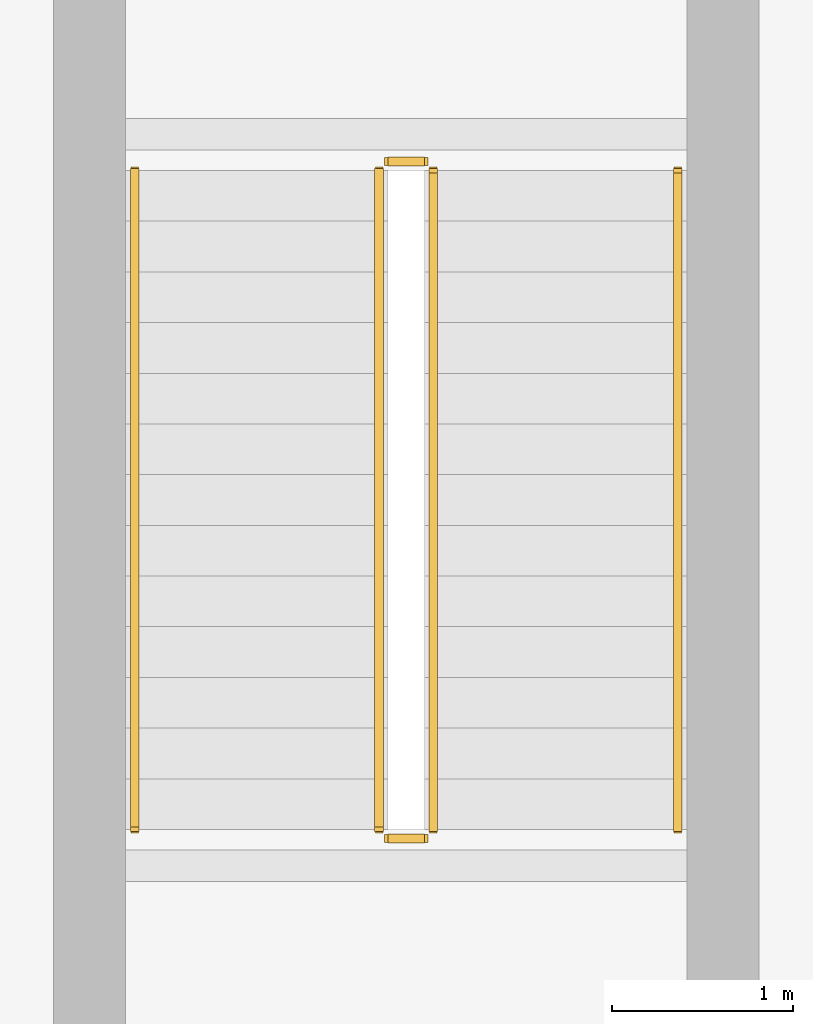
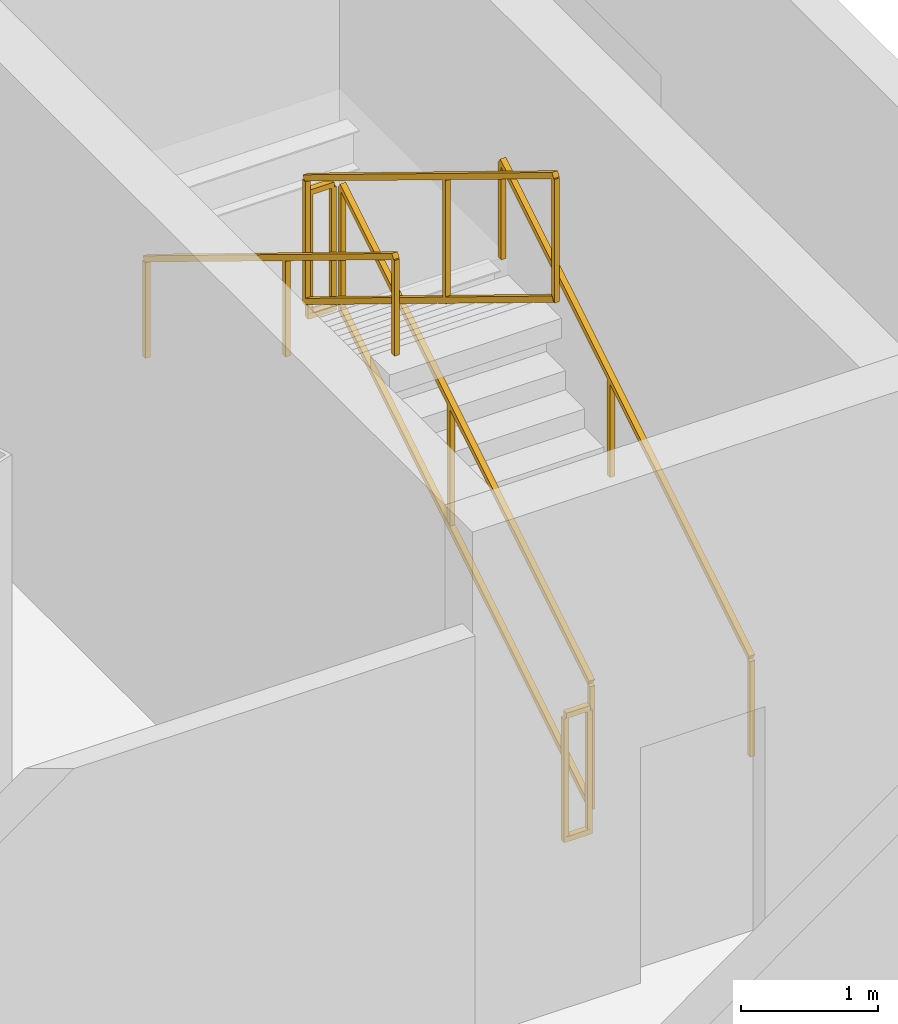
# One storey, part 26 of 27: 6 railings.
"""IFC4 building model written with IfcOpenShell, lengths in metres."""

from ifc_helpers import new_model, si_unit, direction, frame, origin, origin_2d, place, context, subcontext, project, spatial, rectangle, extrude, material, type_object, element, save


model = new_model("IFC4")

# Units and contexts
model_context = context("Model", 3, precision=1e-05, world=origin(), true_north=direction((0.0, 1.0)))
body_context = subcontext(model_context, "Body", "Model", "MODEL_VIEW")
ifc_project = project(units=[si_unit("LENGTHUNIT", "METRE"), si_unit("AREAUNIT", "SQUARE_METRE"), si_unit("VOLUMEUNIT", "CUBIC_METRE"), si_unit("PLANEANGLEUNIT", "RADIAN"), si_unit("MASSUNIT", "GRAM", prefix="KILO"), si_unit("THERMODYNAMICTEMPERATUREUNIT", "KELVIN"), si_unit("POWERUNIT", "WATT")], contexts=[model_context])

# Site, building, storey
site_placement = place(None, origin())
site = spatial("IfcSite", under=ifc_project, at=site_placement, CompositionType="ELEMENT")
building_placement = place(site_placement, origin())
building = spatial("IfcBuilding", under=site, at=building_placement, Name="Yunzhuo Pagoda Commons", CompositionType="ELEMENT")
storey_placement = place(building_placement, frame((0.0, 0.0, 9.60009765625)))
storey = spatial("IfcBuildingStorey", under=building, at=storey_placement, Name="L03", CompositionType="ELEMENT", Elevation=9.60009765625)

# Railings
ifc_material = material(Name="Anodized aluminium 6063-T6", Category="aluminium")
railing_type_1 = type_object("IfcRailingType", Name="GR-PS4 Podium Well Guardrail 1165", PredefinedType="GUARDRAIL", material=ifc_material)
railing_1_placement = place(storey_placement, frame((88.39990234375, 44.300048828125, 0.17138671875)))
element("IfcRailing", 1, at=railing_1_placement, inside=storey, type_object=railing_type_1, Name="L03 PS4 stair guard 1", PredefinedType="GUARDRAIL", context=body_context, shape_type="SweptSolid", body=[
    extrude(rectangle(XDim=0.048095703125, YDim=0.048095703125, at=origin_2d()), frame((0.0, 0.0, 1.1259765625), z_axis=(0.0, 0.852850264322, 0.5221555579), x_axis=(-1.0, 0.0, 0.0)), (0.0, 0.0, 1.0), 4.267822265625),
    extrude(rectangle(XDim=0.048095703125, YDim=0.048095703125, at=origin_2d()), frame((0.0, 0.0, 0.02392578125), z_axis=(0.0, 0.852850264322, 0.5221555579), x_axis=(-1.0, 0.0, 0.0)), (0.0, 0.0, 1.0), 4.267822265625),
    extrude(rectangle(XDim=0.0419921875, YDim=0.0419921875, at=origin_2d()), origin(), (0.0, 0.0, 1.0), 1.101806640625),
    extrude(rectangle(XDim=0.0419921875, YDim=0.0419921875, at=origin_2d()), frame((0.0, 2.046875, 1.253173828125)), (0.0, 0.0, 1.0), 1.101806640625),
    extrude(rectangle(XDim=0.0419921875, YDim=0.0419921875, at=origin_2d()), frame((0.0, 3.639892578125, 2.228515625)), (0.0, 0.0, 1.0), 1.101806640625),
])
railing_2_placement = place(storey_placement, frame((88.35009765625, 47.989990234375, 2.39990234375)))
element("IfcRailing", 2, at=railing_2_placement, inside=storey, type_object=railing_type_1, Name="L03 PS4 stair guard 2", PredefinedType="GUARDRAIL", context=body_context, shape_type="SweptSolid", body=[
    extrude(rectangle(XDim=0.048095703125, YDim=0.048095703125, at=origin_2d()), frame((0.0, 0.0, 1.1259765625), z_axis=(-1.0, 0.0, 0.0), x_axis=(0.0, -1.0, 0.0)), (0.0, 0.0, 1.0), 0.2001953125),
    extrude(rectangle(XDim=0.048095703125, YDim=0.048095703125, at=origin_2d()), frame((0.0, 0.0, 0.02392578125), z_axis=(-1.0, 0.0, 0.0), x_axis=(0.0, -1.0, 0.0)), (0.0, 0.0, 1.0), 0.2001953125),
    extrude(rectangle(XDim=0.0419921875, YDim=0.0419921875, at=origin_2d()), origin(), (0.0, 0.0, 1.0), 1.101806640625),
    extrude(rectangle(XDim=0.0419921875, YDim=0.0419921875, at=origin_2d()), frame((-0.2001953125, 0.0, 0.0)), (0.0, 0.0, 1.0), 1.101806640625),
])
railing_3_placement = place(storey_placement, frame((88.10009765625, 47.93994140625, 2.5712890625)))
element("IfcRailing", 3, at=railing_3_placement, inside=storey, type_object=railing_type_1, Name="L03 PS4 stair guard 3", PredefinedType="GUARDRAIL", context=body_context, shape_type="SweptSolid", body=[
    extrude(rectangle(XDim=0.048095703125, YDim=0.048095703125, at=origin_2d()), frame((0.0, 0.0, 1.1259765625), z_axis=(0.0, -0.852850264322, 0.5221555579), x_axis=(1.0, 0.0, 0.0)), (0.0, 0.0, 1.0), 4.267822265625),
    extrude(rectangle(XDim=0.048095703125, YDim=0.048095703125, at=origin_2d()), frame((0.0, 0.0, 0.02392578125), z_axis=(0.0, -0.852850264322, 0.5221555579), x_axis=(1.0, 0.0, 0.0)), (0.0, 0.0, 1.0), 4.267822265625),
    extrude(rectangle(XDim=0.0419921875, YDim=0.0419921875, at=origin_2d()), origin(), (0.0, 0.0, 1.0), 1.101806640625),
    extrude(rectangle(XDim=0.0419921875, YDim=0.0419921875, at=origin_2d()), frame((0.0, -2.046875, 1.253173828125)), (0.0, 0.0, 1.0), 1.101806640625),
    extrude(rectangle(XDim=0.0419921875, YDim=0.0419921875, at=origin_2d()), frame((0.0, -3.639892578125, 2.228515625)), (0.0, 0.0, 1.0), 1.101806640625),
])
railing_4_placement = place(storey_placement, frame((88.35009765625, 44.25, 0.0)))
element("IfcRailing", 4, at=railing_4_placement, inside=storey, type_object=railing_type_1, Name="L03 PS4 stair guard 4", PredefinedType="GUARDRAIL", context=body_context, shape_type="SweptSolid", body=[
    extrude(rectangle(XDim=0.048095703125, YDim=0.048095703125, at=origin_2d()), frame((0.0, 0.0, 1.1259765625), z_axis=(-1.0, 0.0, 0.0), x_axis=(0.0, -1.0, 0.0)), (0.0, 0.0, 1.0), 0.2001953125),
    extrude(rectangle(XDim=0.048095703125, YDim=0.048095703125, at=origin_2d()), frame((0.0, 0.0, 0.02392578125), z_axis=(-1.0, 0.0, 0.0), x_axis=(0.0, -1.0, 0.0)), (0.0, 0.0, 1.0), 0.2001953125),
    extrude(rectangle(XDim=0.0419921875, YDim=0.0419921875, at=origin_2d()), origin(), (0.0, 0.0, 1.0), 1.101806640625),
    extrude(rectangle(XDim=0.0419921875, YDim=0.0419921875, at=origin_2d()), frame((-0.2001953125, 0.0, 0.0)), (0.0, 0.0, 1.0), 1.101806640625),
])
railing_type_2 = type_object("IfcRailingType", Name="HR-PS4 Podium Stair Handrail 900", PredefinedType="HANDRAIL", material=ifc_material)
railing_5_placement = place(storey_placement, frame((89.75, 44.300048828125, 0.17138671875)))
element("IfcRailing", 5, at=railing_5_placement, inside=storey, type_object=railing_type_2, Name="L03 PS4 stair handrail 1", PredefinedType="HANDRAIL", context=body_context, shape_type="SweptSolid", body=[
    extrude(rectangle(XDim=0.048095703125, YDim=0.048095703125, at=origin_2d()), frame((0.0, 0.0, 0.8759765625), z_axis=(0.0, 0.852850264322, 0.5221555579), x_axis=(-1.0, 0.0, 0.0)), (0.0, 0.0, 1.0), 4.267822265625),
    extrude(rectangle(XDim=0.0419921875, YDim=0.0419921875, at=origin_2d()), origin(), (0.0, 0.0, 1.0), 0.851806640625),
    extrude(rectangle(XDim=0.0419921875, YDim=0.0419921875, at=origin_2d()), frame((0.0, 2.046875, 1.253173828125)), (0.0, 0.0, 1.0), 0.851806640625),
    extrude(rectangle(XDim=0.0419921875, YDim=0.0419921875, at=origin_2d()), frame((0.0, 3.639892578125, 2.228515625)), (0.0, 0.0, 1.0), 0.851806640625),
])
railing_6_placement = place(storey_placement, frame((86.75, 47.93994140625, 2.5712890625)))
element("IfcRailing", 6, at=railing_6_placement, inside=storey, type_object=railing_type_2, Name="L03 PS4 stair handrail 2", PredefinedType="HANDRAIL", context=body_context, shape_type="SweptSolid", body=[
    extrude(rectangle(XDim=0.048095703125, YDim=0.048095703125, at=origin_2d()), frame((0.0, 0.0, 0.8759765625), z_axis=(0.0, -0.852850264322, 0.5221555579), x_axis=(1.0, 0.0, 0.0)), (0.0, 0.0, 1.0), 4.267822265625),
    extrude(rectangle(XDim=0.0419921875, YDim=0.0419921875, at=origin_2d()), origin(), (0.0, 0.0, 1.0), 0.851806640625),
    extrude(rectangle(XDim=0.0419921875, YDim=0.0419921875, at=origin_2d()), frame((0.0, -2.046875, 1.253173828125)), (0.0, 0.0, 1.0), 0.851806640625),
    extrude(rectangle(XDim=0.0419921875, YDim=0.0419921875, at=origin_2d()), frame((0.0, -3.639892578125, 2.228515625)), (0.0, 0.0, 1.0), 0.851806640625),
])

save(model, "model.ifc")
